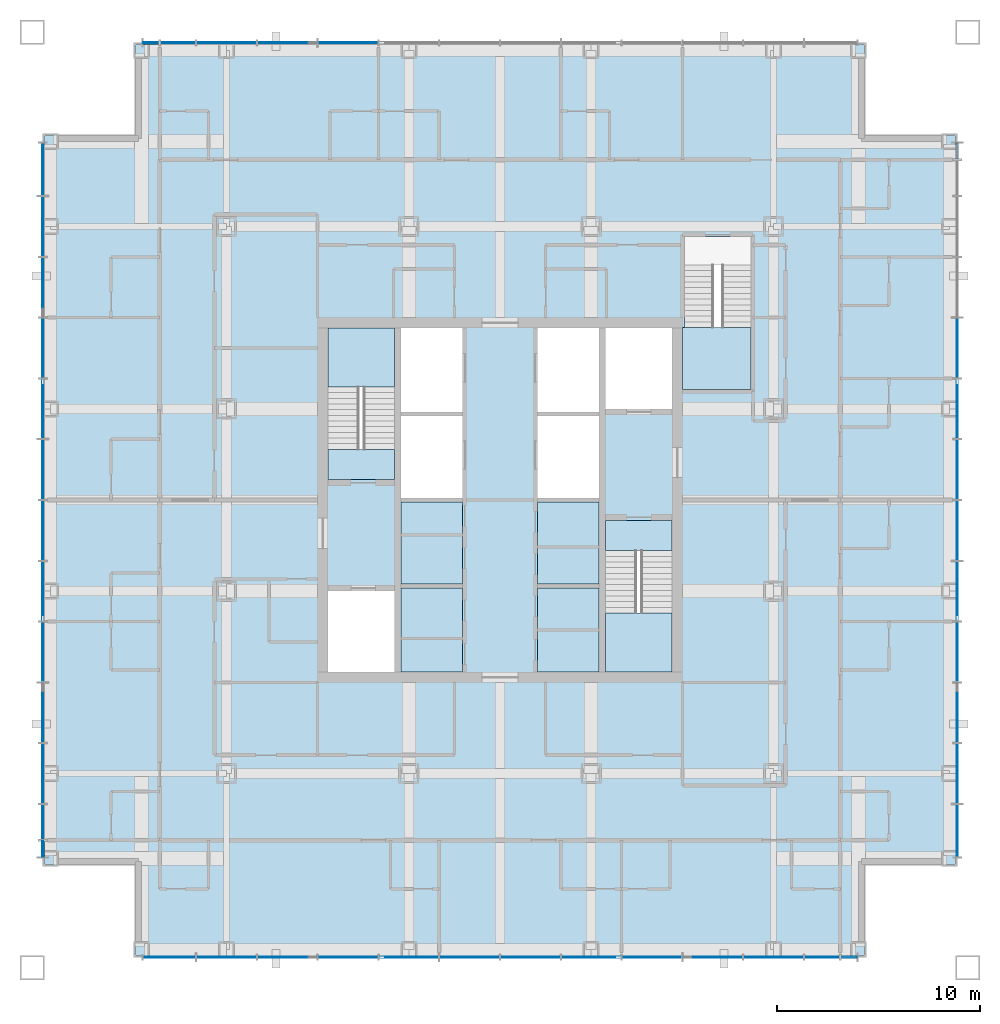
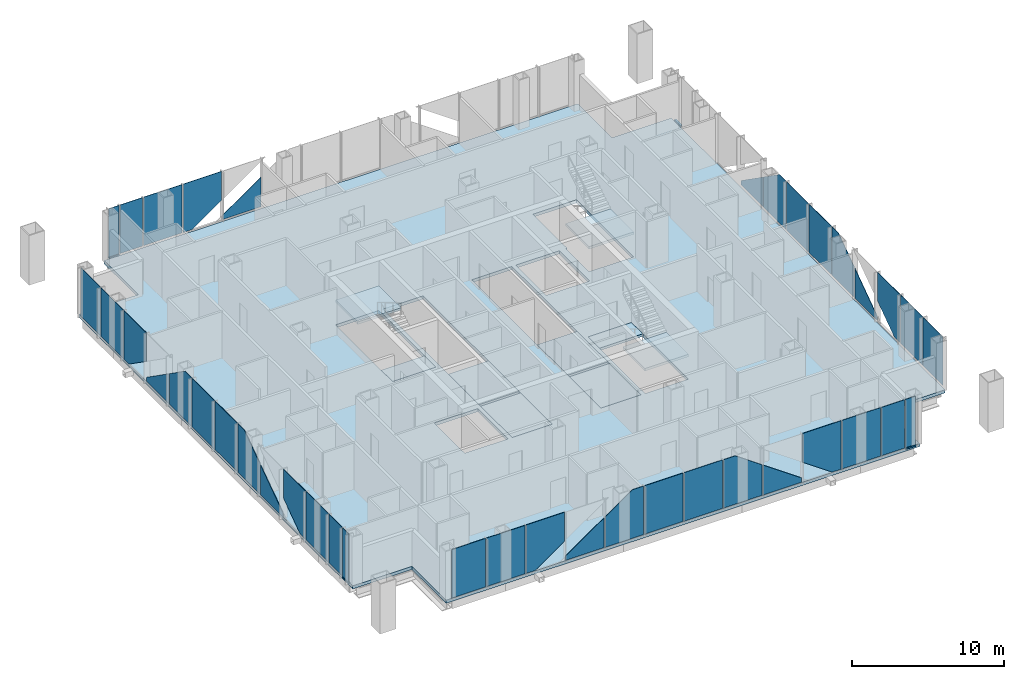
# One storey, part 6 of 17: 40 plates, 10 slabs, 4 members, 7 elements without a shape of their own.
"""IFC4 building model written with IfcOpenShell, lengths in metres."""

from ifc_helpers import new_model, si_unit, direction, frame, origin, origin_2d, place, context, subcontext, project, spatial, polyline, rectangle, outline, extrude, material, layer, layer_set, material_profile, profile_set, type_object, element, aggregate, save


model = new_model("IFC4")

# Units and contexts
model_context = context("Model", 3, precision=1e-05, world=origin(), true_north=direction((0.0, 1.0)))
body_context = subcontext(model_context, "Body", "Model", "MODEL_VIEW")
ifc_project = project(units=[si_unit("LENGTHUNIT", "METRE"), si_unit("AREAUNIT", "SQUARE_METRE"), si_unit("VOLUMEUNIT", "CUBIC_METRE"), si_unit("PLANEANGLEUNIT", "RADIAN"), si_unit("MASSUNIT", "GRAM", prefix="KILO")], contexts=[model_context])

# Site, building, storey
site_placement = place(None, origin())
site = spatial("IfcSite", under=ifc_project, at=site_placement, CompositionType="ELEMENT")
building_placement = place(site_placement, origin())
building = spatial("IfcBuilding", under=site, at=building_placement, Name="Malebo Sky Hospital", CompositionType="ELEMENT")
storey_placement = place(building_placement, frame((0.0, 0.0, 185.0)))
storey = spatial("IfcBuildingStorey", under=building, at=storey_placement, Name="L44", CompositionType="ELEMENT", Elevation=185.0)

# Curtain wall, member
ifc_material_1 = material(Name="Anodised aluminium, natural silver", Category="aluminium")
ifc_layer_1 = layer(ifc_material_1, 0.25)
ifc_layer_set_1 = layer_set([ifc_layer_1], Name="WARD CURTAIN WALL NORTH AND SOUTH")
curtain_wall_type_1 = type_object("IfcCurtainWallType", Name="WARD CURTAIN WALL NORTH AND SOUTH", PredefinedType="NOTDEFINED", material=ifc_layer_set_1)
curtain_wall_1_placement = place(storey_placement, origin())
curtain_wall_1 = element("IfcCurtainWall", 1, at=curtain_wall_1_placement, inside=storey, type_object=curtain_wall_type_1, Name="NS curtain wall N", PredefinedType="NOTDEFINED")
ifc_material_profile = material_profile(ifc_material_1, rectangle(XDim=0.14990234375, YDim=0.10009765625, at=origin_2d()), Name="ALUMINIUM TRANSOM 150x100")
ifc_profile_set = profile_set([ifc_material_profile], Name="Anodised aluminium, natural silver")
member_type = type_object("IfcMemberType", Name="ALUMINIUM TRANSOM 150x100", PredefinedType="USERDEFINED", material=ifc_profile_set)
member_1_placement = place(storey_placement, frame((42.375, 84.574951171875, 0.050048828125), z_axis=(1.0, 0.0, 0.0), x_axis=(0.0, 1.0, 0.0)))
member_1 = element("IfcMember", 2, at=member_1_placement, type_object=member_type, Name="Transom 1", ObjectType="TRANSOM", PredefinedType="USERDEFINED", context=body_context, shape_type="SweptSolid", body=[
    extrude(rectangle(XDim=0.14990234375, YDim=0.10009765625, at=origin_2d()), origin(), (0.0, 0.0, 1.0), 0.78759765625),
])

ifc_layer_2 = layer(ifc_material_1, 0.25)
ifc_layer_set_2 = layer_set([ifc_layer_2], Name="WARD CURTAIN WALL EAST AND WEST")
curtain_wall_type_2 = type_object("IfcCurtainWallType", Name="WARD CURTAIN WALL EAST AND WEST", PredefinedType="NOTDEFINED", material=ifc_layer_set_2)
curtain_wall_2_placement = place(storey_placement, origin())
curtain_wall_2 = element("IfcCurtainWall", 3, at=curtain_wall_2_placement, inside=storey, type_object=curtain_wall_type_2, Name="EW curtain wall W", PredefinedType="NOTDEFINED")
member_2_placement = place(storey_placement, frame((37.425048828125, 44.375, 0.050048828125), z_axis=(0.0, 1.0, 0.0), x_axis=(-1.0, 0.0, 0.0)))
member_2 = element("IfcMember", 4, at=member_2_placement, type_object=member_type, Name="Transom 1", ObjectType="TRANSOM", PredefinedType="USERDEFINED", context=body_context, shape_type="SweptSolid", body=[
    extrude(rectangle(XDim=0.14990234375, YDim=0.10009765625, at=origin_2d()), origin(), (0.0, 0.0, 1.0), 0.78759765625),
])

curtain_wall_3_placement = place(storey_placement, origin())
curtain_wall_3 = element("IfcCurtainWall", 5, at=curtain_wall_3_placement, inside=storey, type_object=curtain_wall_type_1, Name="NS curtain wall S", PredefinedType="NOTDEFINED")
member_3_placement = place(storey_placement, frame((77.625, 39.425048828125, 0.050048828125), z_axis=(-1.0, 0.0, 0.0), x_axis=(0.0, -1.0, 0.0)))
member_3 = element("IfcMember", 6, at=member_3_placement, type_object=member_type, Name="Transom 1", ObjectType="TRANSOM", PredefinedType="USERDEFINED", context=body_context, shape_type="SweptSolid", body=[
    extrude(rectangle(XDim=0.14990234375, YDim=0.10009765625, at=origin_2d()), origin(), (0.0, 0.0, 1.0), 0.78759765625),
])

curtain_wall_4_placement = place(storey_placement, origin())
curtain_wall_4 = element("IfcCurtainWall", 7, at=curtain_wall_4_placement, inside=storey, type_object=curtain_wall_type_2, Name="EW curtain wall E", PredefinedType="NOTDEFINED")
member_4_placement = place(storey_placement, frame((82.574951171875, 79.625, 0.050048828125), z_axis=(0.0, -1.0, 0.0), x_axis=(1.0, 0.0, 0.0)))
member_4 = element("IfcMember", 8, at=member_4_placement, type_object=member_type, Name="Transom 1", ObjectType="TRANSOM", PredefinedType="USERDEFINED", context=body_context, shape_type="SweptSolid", body=[
    extrude(rectangle(XDim=0.14990234375, YDim=0.10009765625, at=origin_2d()), origin(), (0.0, 0.0, 1.0), 0.78759765625),
])

# Slabs
ifc_material_2 = material(Name="Concrete C40/50", Category="concrete")
ifc_layer_3 = layer(ifc_material_2, 0.25)
ifc_layer_set_3 = layer_set([ifc_layer_3], Name="COMPOSITE FLOOR SLAB 250")
slab_type_1 = type_object("IfcSlabType", Name="COMPOSITE FLOOR SLAB 250", PredefinedType="FLOOR", material=ifc_layer_set_3)
slab_1_placement = place(storey_placement, frame((0.0, 0.0, -0.25)))
element("IfcSlab", 9, at=slab_1_placement, inside=storey, type_object=slab_type_1, Name="Floor slab L44", PredefinedType="FLOOR", context=body_context, shape_type="SweptSolid", body=[
    extrude(outline(polyline([(42.0, 84.5), (42.0, 80.0), (37.5, 80.0), (37.5, 44.0), (42.0, 44.0), (42.0, 39.5), (78.0, 39.5), (78.0, 44.0), (82.5, 44.0), (82.5, 80.0), (78.0, 80.0), (78.0, 84.5), (42.0, 84.5)]), holes=[polyline([(55.10009765625, 70.5), (58.14990234375, 70.5), (58.14990234375, 53.5), (55.10009765625, 53.5), (55.10009765625, 70.5)]), polyline([(64.89990234375, 70.5), (64.89990234375, 53.5), (61.85009765625, 53.5), (61.85009765625, 70.5), (64.89990234375, 70.5)]), polyline([(54.800048828125, 63.0), (51.5, 63.0), (51.5, 70.5), (54.800048828125, 70.5), (54.800048828125, 63.0)]), polyline([(51.5, 53.5), (51.5, 57.5), (54.800048828125, 57.5), (54.800048828125, 53.5), (51.5, 53.5)]), polyline([(65.199951171875, 61.0), (68.5, 61.0), (68.5, 53.5), (65.199951171875, 53.5), (65.199951171875, 61.0)]), polyline([(68.5, 70.5), (68.5, 66.5), (65.199951171875, 66.5), (65.199951171875, 70.5), (68.5, 70.5)]), polyline([(69.0, 67.449951171875), (69.0, 70.52001953125), (69.10009765625, 70.52001953125), (69.10009765625, 75.0), (72.39990234375, 75.0), (72.39990234375, 67.449951171875), (69.10009765625, 67.449951171875), (69.0, 67.449951171875)])]), origin(), (0.0, 0.0, 1.0), 0.25),
])
ifc_layer_4 = layer(ifc_material_2, 0.25)
ifc_layer_set_4 = layer_set([ifc_layer_4], Name="SHAFT INFILL SLAB 250")
slab_type_2 = type_object("IfcSlabType", Name="SHAFT INFILL SLAB 250", PredefinedType="FLOOR", material=ifc_layer_set_4)
slab_2_placement = place(storey_placement, frame((0.0, 0.0, -0.25)))
element("IfcSlab", 10, at=slab_2_placement, inside=storey, type_object=slab_type_2, Name="Shaft infill slab W1 L44", PredefinedType="FLOOR", context=body_context, shape_type="SweptSolid", body=[
    extrude(outline(polyline([(55.10009765625, 53.5), (58.14990234375, 53.5), (58.14990234375, 57.64990234375), (55.10009765625, 57.64990234375), (55.10009765625, 53.5)])), origin(), (0.0, 0.0, 1.0), 0.25),
])
slab_3_placement = place(storey_placement, frame((0.0, 0.0, -0.25)))
element("IfcSlab", 11, at=slab_3_placement, inside=storey, type_object=slab_type_2, Name="Shaft infill slab W2 L44", PredefinedType="FLOOR", context=body_context, shape_type="SweptSolid", body=[
    extrude(outline(polyline([(55.10009765625, 57.85009765625), (58.14990234375, 57.85009765625), (58.14990234375, 61.89990234375), (55.10009765625, 61.89990234375), (55.10009765625, 57.85009765625)])), origin(), (0.0, 0.0, 1.0), 0.25),
])
slab_4_placement = place(storey_placement, frame((0.0, 0.0, -0.25)))
element("IfcSlab", 12, at=slab_4_placement, inside=storey, type_object=slab_type_2, Name="Shaft infill slab E1 L44", PredefinedType="FLOOR", context=body_context, shape_type="SweptSolid", body=[
    extrude(outline(polyline([(61.85009765625, 53.5), (64.89990234375, 53.5), (64.89990234375, 57.64990234375), (61.85009765625, 57.64990234375), (61.85009765625, 53.5)])), origin(), (0.0, 0.0, 1.0), 0.25),
])
slab_5_placement = place(storey_placement, frame((0.0, 0.0, -0.25)))
element("IfcSlab", 13, at=slab_5_placement, inside=storey, type_object=slab_type_2, Name="Shaft infill slab E2 L44", PredefinedType="FLOOR", context=body_context, shape_type="SweptSolid", body=[
    extrude(outline(polyline([(61.85009765625, 57.85009765625), (64.89990234375, 57.85009765625), (64.89990234375, 61.89990234375), (61.85009765625, 61.89990234375), (61.85009765625, 57.85009765625)])), origin(), (0.0, 0.0, 1.0), 0.25),
])

# Stair, slabs
stair_type_1 = type_object("IfcStairType", Name="HALF-TURN STAIR 1500 R167", PredefinedType="HALF_TURN_STAIR", material=ifc_material_2)
stair_1_placement = place(storey_placement, origin())
stair_1 = element("IfcStair", 14, at=stair_1_placement, inside=storey, type_object=stair_type_1, Name="Stair S1 L44 type ST1", PredefinedType="HALF_TURN_STAIR")
ifc_layer_5 = layer(ifc_material_2, 0.199951171875)
ifc_layer_set_5 = layer_set([ifc_layer_5], Name="STAIR LANDING 200")
slab_type_3 = type_object("IfcSlabType", Name="STAIR LANDING 200", PredefinedType="LANDING", material=ifc_layer_set_5)
slab_6_placement = place(storey_placement, frame((0.0, 0.0, -0.199951171875)))
slab_6 = element("IfcSlab", 15, at=slab_6_placement, type_object=slab_type_3, Name="S1 landing 1", PredefinedType="LANDING", context=body_context, shape_type="SweptSolid", body=[
    extrude(outline(polyline([(51.5, 63.0), (54.800048828125, 63.0), (54.800048828125, 64.5), (51.5, 64.5), (51.5, 63.0)])), origin(), (0.0, 0.0, 1.0), 0.199951171875),
])
slab_7_placement = place(storey_placement, frame((0.0, 0.0, 1.800048828125)))
slab_7 = element("IfcSlab", 16, at=slab_7_placement, type_object=slab_type_3, Name="S1 landing 2", PredefinedType="LANDING", context=body_context, shape_type="SweptSolid", body=[
    extrude(outline(polyline([(51.5, 67.580078125), (54.800048828125, 67.580078125), (54.800048828125, 70.5), (51.5, 70.5), (51.5, 67.580078125)])), origin(), (0.0, 0.0, 1.0), 0.199951171875),
])
aggregate(stair_1, [slab_6, slab_7])

stair_2_placement = place(storey_placement, origin())
stair_2 = element("IfcStair", 17, at=stair_2_placement, inside=storey, type_object=stair_type_1, Name="Stair S2 L44 type ST1", PredefinedType="HALF_TURN_STAIR")
slab_8_placement = place(storey_placement, frame((0.0, 0.0, -0.199951171875)))
slab_8 = element("IfcSlab", 18, at=slab_8_placement, type_object=slab_type_3, Name="S2 landing 1", PredefinedType="LANDING", context=body_context, shape_type="SweptSolid", body=[
    extrude(outline(polyline([(65.199951171875, 59.5), (68.5, 59.5), (68.5, 61.0), (65.199951171875, 61.0), (65.199951171875, 59.5)])), origin(), (0.0, 0.0, 1.0), 0.199951171875),
])
slab_9_placement = place(storey_placement, frame((0.0, 0.0, 1.800048828125)))
slab_9 = element("IfcSlab", 19, at=slab_9_placement, type_object=slab_type_3, Name="S2 landing 2", PredefinedType="LANDING", context=body_context, shape_type="SweptSolid", body=[
    extrude(outline(polyline([(65.199951171875, 53.5), (68.5, 53.5), (68.5, 56.419921875), (65.199951171875, 56.419921875), (65.199951171875, 53.5)])), origin(), (0.0, 0.0, 1.0), 0.199951171875),
])
aggregate(stair_2, [slab_8, slab_9])

# Stair, slab
stair_type_2 = type_object("IfcStairType", Name="HALF-TURN STAIR 1400 R167", PredefinedType="HALF_TURN_STAIR", material=ifc_material_2)
stair_3_placement = place(storey_placement, origin())
stair_3 = element("IfcStair", 20, at=stair_3_placement, inside=storey, type_object=stair_type_2, Name="Stair S3 L44 type ST1B", PredefinedType="HALF_TURN_STAIR")
slab_10_placement = place(storey_placement, frame((0.0, 0.0, 1.800048828125)))
slab_10 = element("IfcSlab", 21, at=slab_10_placement, type_object=slab_type_3, Name="S3 landing 2", PredefinedType="LANDING", context=body_context, shape_type="SweptSolid", body=[
    extrude(outline(polyline([(69.0, 67.449951171875), (72.39990234375, 67.449951171875), (72.39990234375, 70.52001953125), (69.0, 70.52001953125), (69.0, 67.449951171875)])), origin(), (0.0, 0.0, 1.0), 0.199951171875),
])
aggregate(stair_3, [slab_10])

# Plate
ifc_material_3 = material(Name="Clear low-iron double glazing", Category="glass")
ifc_layer_6 = layer(ifc_material_3, 0.031982421875)
ifc_layer_set_6 = layer_set([ifc_layer_6], Name="VISION PANEL CLEAR 32")
plate_type = type_object("IfcPlateType", Name="VISION PANEL CLEAR 32", PredefinedType="CURTAIN_PANEL", material=ifc_layer_set_6)
plate_1_placement = place(storey_placement, frame((42.768798828125, 84.574951171875, 0.10009765625), z_axis=(0.0, 0.0, 1.0), x_axis=(1.0, 0.0, 0.0)))
plate_1 = element("IfcPlate", 22, at=plate_1_placement, type_object=plate_type, Name="Panel 1", PredefinedType="CURTAIN_PANEL", context=body_context, shape_type="SweptSolid", body=[
    extrude(rectangle(XDim=0.78759765625, YDim=0.031982421875, at=origin_2d()), origin(), (0.0, 0.0, 1.0), 3.889892578125),
])

plate_2_placement = place(storey_placement, frame((44.10009765625, 84.574951171875, 0.10009765625), z_axis=(0.0, 0.0, 1.0), x_axis=(1.0, 0.0, 0.0)))
plate_2 = element("IfcPlate", 23, at=plate_2_placement, type_object=plate_type, Name="Panel 2", PredefinedType="CURTAIN_PANEL", context=body_context, shape_type="SweptSolid", body=[
    extrude(rectangle(XDim=1.72509765625, YDim=0.031982421875, at=origin_2d()), origin(), (0.0, 0.0, 1.0), 3.889892578125),
])

plate_3_placement = place(storey_placement, frame((46.5, 84.574951171875, 0.10009765625), z_axis=(0.0, 0.0, 1.0), x_axis=(1.0, 0.0, 0.0)))
plate_3 = element("IfcPlate", 24, at=plate_3_placement, type_object=plate_type, Name="Panel 3", PredefinedType="CURTAIN_PANEL", context=body_context, shape_type="SweptSolid", body=[
    extrude(rectangle(XDim=2.925048828125, YDim=0.031982421875, at=origin_2d()), origin(), (0.0, 0.0, 1.0), 3.889892578125),
])

plate_4_placement = place(storey_placement, frame((49.5, 84.574951171875, 0.10009765625), z_axis=(0.0, 0.0, 1.0), x_axis=(1.0, 0.0, 0.0)))
plate_4 = element("IfcPlate", 25, at=plate_4_placement, type_object=plate_type, Name="Panel 4", PredefinedType="CURTAIN_PANEL", context=body_context, shape_type="SweptSolid", body=[
    extrude(outline(polyline([(-1.46240234375, 0.0), (-0.77197265625, 0.0), (1.46240234375, 1.5693359375), (1.46240234375, 3.889892578125), (-1.46240234375, 3.889892578125), (-1.46240234375, 0.0)])), frame((0.0, 0.01611328125, 0.0), z_axis=(0.0, -1.0, 0.0), x_axis=(1.0, 0.0, 0.0)), (0.0, 0.0, 1.0), 0.031982421875),
])

plate_5_placement = place(storey_placement, frame((52.5, 84.574951171875, 0.10009765625), z_axis=(0.0, 0.0, 1.0), x_axis=(1.0, 0.0, 0.0)))
plate_5 = element("IfcPlate", 26, at=plate_5_placement, type_object=plate_type, Name="Panel 5", PredefinedType="CURTAIN_PANEL", context=body_context, shape_type="SweptSolid", body=[
    extrude(outline(polyline([(-1.46240234375, 0.0), (1.46240234375, 0.0), (1.46240234375, 2.39208984375), (-1.46240234375, 0.337646484375), (-1.46240234375, 0.0)])), frame((0.0, 0.01611328125, 0.0), z_axis=(0.0, -1.0, 0.0), x_axis=(1.0, 0.0, 0.0)), (0.0, 0.0, 1.0), 0.031982421875),
])

aggregate(curtain_wall_1, [member_1, plate_1, plate_2, plate_3, plate_4, plate_5])

plate_6_placement = place(storey_placement, frame((37.425048828125, 44.768798828125, 0.10009765625), z_axis=(0.0, 0.0, 1.0), x_axis=(0.0, 1.0, 0.0)))
plate_6 = element("IfcPlate", 27, at=plate_6_placement, type_object=plate_type, Name="Panel 1", PredefinedType="CURTAIN_PANEL", context=body_context, shape_type="SweptSolid", body=[
    extrude(rectangle(XDim=0.78759765625, YDim=0.031982421875, at=origin_2d()), origin(), (0.0, 0.0, 1.0), 3.889892578125),
])

plate_7_placement = place(storey_placement, frame((37.425048828125, 46.10009765625, 0.10009765625), z_axis=(0.0, 0.0, 1.0), x_axis=(0.0, 1.0, 0.0)))
plate_7 = element("IfcPlate", 28, at=plate_7_placement, type_object=plate_type, Name="Panel 2", PredefinedType="CURTAIN_PANEL", context=body_context, shape_type="SweptSolid", body=[
    extrude(rectangle(XDim=1.72509765625, YDim=0.031982421875, at=origin_2d()), origin(), (0.0, 0.0, 1.0), 3.889892578125),
])

plate_8_placement = place(storey_placement, frame((37.425048828125, 48.5, 0.10009765625), z_axis=(0.0, 0.0, 1.0), x_axis=(0.0, 1.0, 0.0)))
plate_8 = element("IfcPlate", 29, at=plate_8_placement, type_object=plate_type, Name="Panel 3", PredefinedType="CURTAIN_PANEL", context=body_context, shape_type="SweptSolid", body=[
    extrude(rectangle(XDim=2.925048828125, YDim=0.031982421875, at=origin_2d()), origin(), (0.0, 0.0, 1.0), 3.889892578125),
])

plate_9_placement = place(storey_placement, frame((37.425048828125, 51.5, 0.10009765625), z_axis=(0.0, 0.0, 1.0), x_axis=(0.0, 1.0, 0.0)))
plate_9 = element("IfcPlate", 30, at=plate_9_placement, type_object=plate_type, Name="Panel 4", PredefinedType="CURTAIN_PANEL", context=body_context, shape_type="SweptSolid", body=[
    extrude(outline(polyline([(-1.46240234375, 0.0), (-0.77197265625, 0.0), (1.46240234375, 1.5693359375), (1.46240234375, 3.889892578125), (-1.46240234375, 3.889892578125), (-1.46240234375, 0.0)])), frame((0.0, 0.01611328125, 0.0), z_axis=(0.0, -1.0, 0.0), x_axis=(1.0, 0.0, 0.0)), (0.0, 0.0, 1.0), 0.031982421875),
])

plate_10_placement = place(storey_placement, frame((37.425048828125, 54.5, 0.10009765625), z_axis=(0.0, 0.0, 1.0), x_axis=(0.0, 1.0, 0.0)))
plate_10 = element("IfcPlate", 31, at=plate_10_placement, type_object=plate_type, Name="Panel 5", PredefinedType="CURTAIN_PANEL", context=body_context, shape_type="SweptSolid", body=[
    extrude(outline(polyline([(-1.46240234375, 0.0), (1.46240234375, 0.0), (1.46240234375, 2.39208984375), (-1.46240234375, 0.337646484375), (-1.46240234375, 0.0)])), frame((0.0, 0.01611328125, 0.0), z_axis=(0.0, -1.0, 0.0), x_axis=(1.0, 0.0, 0.0)), (0.0, 0.0, 1.0), 0.031982421875),
])

plate_11_placement = place(storey_placement, frame((37.425048828125, 57.5, 0.10009765625), z_axis=(0.0, 0.0, 1.0), x_axis=(0.0, 1.0, 0.0)))
plate_11 = element("IfcPlate", 32, at=plate_11_placement, type_object=plate_type, Name="Panel 6", PredefinedType="CURTAIN_PANEL", context=body_context, shape_type="SweptSolid", body=[
    extrude(outline(polyline([(-1.46240234375, 0.0), (1.46240234375, 0.0), (1.46240234375, 3.889892578125), (0.594970703125, 3.889892578125), (-1.46240234375, 2.44482421875), (-1.46240234375, 0.0)])), frame((0.0, 0.01611328125, 0.0), z_axis=(0.0, -1.0, 0.0), x_axis=(1.0, 0.0, 0.0)), (0.0, 0.0, 1.0), 0.031982421875),
])

plate_12_placement = place(storey_placement, frame((37.425048828125, 60.5, 0.10009765625), z_axis=(0.0, 0.0, 1.0), x_axis=(0.0, 1.0, 0.0)))
plate_12 = element("IfcPlate", 33, at=plate_12_placement, type_object=plate_type, Name="Panel 7", PredefinedType="CURTAIN_PANEL", context=body_context, shape_type="SweptSolid", body=[
    extrude(rectangle(XDim=2.925048828125, YDim=0.031982421875, at=origin_2d()), origin(), (0.0, 0.0, 1.0), 3.889892578125),
])

plate_13_placement = place(storey_placement, frame((37.425048828125, 63.5, 0.10009765625), z_axis=(0.0, 0.0, 1.0), x_axis=(0.0, 1.0, 0.0)))
plate_13 = element("IfcPlate", 34, at=plate_13_placement, type_object=plate_type, Name="Panel 8", PredefinedType="CURTAIN_PANEL", context=body_context, shape_type="SweptSolid", body=[
    extrude(rectangle(XDim=2.925048828125, YDim=0.031982421875, at=origin_2d()), origin(), (0.0, 0.0, 1.0), 3.889892578125),
])

plate_14_placement = place(storey_placement, frame((37.425048828125, 66.5, 0.10009765625), z_axis=(0.0, 0.0, 1.0), x_axis=(0.0, 1.0, 0.0)))
plate_14 = element("IfcPlate", 35, at=plate_14_placement, type_object=plate_type, Name="Panel 9", PredefinedType="CURTAIN_PANEL", context=body_context, shape_type="SweptSolid", body=[
    extrude(outline(polyline([(-1.46240234375, 0.0), (1.46240234375, 0.0), (1.46240234375, 2.44482421875), (-0.594970703125, 3.889892578125), (-1.46240234375, 3.889892578125), (-1.46240234375, 0.0)])), frame((0.0, 0.01611328125, 0.0), z_axis=(0.0, -1.0, 0.0), x_axis=(1.0, 0.0, 0.0)), (0.0, 0.0, 1.0), 0.031982421875),
])

plate_15_placement = place(storey_placement, frame((37.425048828125, 69.5, 0.10009765625), z_axis=(0.0, 0.0, 1.0), x_axis=(0.0, 1.0, 0.0)))
plate_15 = element("IfcPlate", 36, at=plate_15_placement, type_object=plate_type, Name="Panel 10", PredefinedType="CURTAIN_PANEL", context=body_context, shape_type="SweptSolid", body=[
    extrude(outline(polyline([(-1.46240234375, 0.0), (1.46240234375, 0.0), (1.46240234375, 0.337646484375), (-1.46240234375, 2.39208984375), (-1.46240234375, 0.0)])), frame((0.0, 0.01611328125, 0.0), z_axis=(0.0, -1.0, 0.0), x_axis=(1.0, 0.0, 0.0)), (0.0, 0.0, 1.0), 0.031982421875),
])

plate_16_placement = place(storey_placement, frame((37.425048828125, 72.5, 0.10009765625), z_axis=(0.0, 0.0, 1.0), x_axis=(0.0, 1.0, 0.0)))
plate_16 = element("IfcPlate", 37, at=plate_16_placement, type_object=plate_type, Name="Panel 11", PredefinedType="CURTAIN_PANEL", context=body_context, shape_type="SweptSolid", body=[
    extrude(outline(polyline([(0.77197265625, 0.0), (1.46240234375, 0.0), (1.46240234375, 3.889892578125), (-1.46240234375, 3.889892578125), (-1.46240234375, 1.5693359375), (0.77197265625, 0.0)])), frame((0.0, 0.01611328125, 0.0), z_axis=(0.0, -1.0, 0.0), x_axis=(1.0, 0.0, 0.0)), (0.0, 0.0, 1.0), 0.031982421875),
])

plate_17_placement = place(storey_placement, frame((37.425048828125, 75.5, 0.10009765625), z_axis=(0.0, 0.0, 1.0), x_axis=(0.0, 1.0, 0.0)))
plate_17 = element("IfcPlate", 38, at=plate_17_placement, type_object=plate_type, Name="Panel 12", PredefinedType="CURTAIN_PANEL", context=body_context, shape_type="SweptSolid", body=[
    extrude(rectangle(XDim=2.925048828125, YDim=0.031982421875, at=origin_2d()), origin(), (0.0, 0.0, 1.0), 3.889892578125),
])

plate_18_placement = place(storey_placement, frame((37.425048828125, 78.331298828125, 0.10009765625), z_axis=(0.0, 0.0, 1.0), x_axis=(0.0, 1.0, 0.0)))
plate_18 = element("IfcPlate", 39, at=plate_18_placement, type_object=plate_type, Name="Panel 13", PredefinedType="CURTAIN_PANEL", context=body_context, shape_type="SweptSolid", body=[
    extrude(rectangle(XDim=2.58740234375, YDim=0.031982421875, at=origin_2d()), origin(), (0.0, 0.0, 1.0), 3.889892578125),
])

aggregate(curtain_wall_2, [member_2, plate_6, plate_7, plate_8, plate_9, plate_10, plate_11, plate_12, plate_13, plate_14, plate_15, plate_16, plate_17, plate_18])

plate_19_placement = place(storey_placement, frame((77.231201171875, 39.425048828125, 0.10009765625), z_axis=(0.0, 0.0, 1.0), x_axis=(-1.0, 0.0, 0.0)))
plate_19 = element("IfcPlate", 40, at=plate_19_placement, type_object=plate_type, Name="Panel 1", PredefinedType="CURTAIN_PANEL", context=body_context, shape_type="SweptSolid", body=[
    extrude(rectangle(XDim=0.78759765625, YDim=0.031982421875, at=origin_2d()), origin(), (0.0, 0.0, 1.0), 3.889892578125),
])

plate_20_placement = place(storey_placement, frame((75.89990234375, 39.425048828125, 0.10009765625), z_axis=(0.0, 0.0, 1.0), x_axis=(-1.0, 0.0, 0.0)))
plate_20 = element("IfcPlate", 41, at=plate_20_placement, type_object=plate_type, Name="Panel 2", PredefinedType="CURTAIN_PANEL", context=body_context, shape_type="SweptSolid", body=[
    extrude(rectangle(XDim=1.72509765625, YDim=0.031982421875, at=origin_2d()), origin(), (0.0, 0.0, 1.0), 3.889892578125),
])

plate_21_placement = place(storey_placement, frame((73.5, 39.425048828125, 0.10009765625), z_axis=(0.0, 0.0, 1.0), x_axis=(-1.0, 0.0, 0.0)))
plate_21 = element("IfcPlate", 42, at=plate_21_placement, type_object=plate_type, Name="Panel 3", PredefinedType="CURTAIN_PANEL", context=body_context, shape_type="SweptSolid", body=[
    extrude(rectangle(XDim=2.925048828125, YDim=0.031982421875, at=origin_2d()), origin(), (0.0, 0.0, 1.0), 3.889892578125),
])

plate_22_placement = place(storey_placement, frame((70.5, 39.425048828125, 0.10009765625), z_axis=(0.0, 0.0, 1.0), x_axis=(-1.0, 0.0, 0.0)))
plate_22 = element("IfcPlate", 43, at=plate_22_placement, type_object=plate_type, Name="Panel 4", PredefinedType="CURTAIN_PANEL", context=body_context, shape_type="SweptSolid", body=[
    extrude(outline(polyline([(-1.46240234375, 0.0), (-0.77197265625, 0.0), (1.46240234375, 1.5693359375), (1.46240234375, 3.889892578125), (-1.46240234375, 3.889892578125), (-1.46240234375, 0.0)])), frame((0.0, 0.01611328125, 0.0), z_axis=(0.0, -1.0, 0.0), x_axis=(1.0, 0.0, 0.0)), (0.0, 0.0, 1.0), 0.031982421875),
])

plate_23_placement = place(storey_placement, frame((67.5, 39.425048828125, 0.10009765625), z_axis=(0.0, 0.0, 1.0), x_axis=(-1.0, 0.0, 0.0)))
plate_23 = element("IfcPlate", 44, at=plate_23_placement, type_object=plate_type, Name="Panel 5", PredefinedType="CURTAIN_PANEL", context=body_context, shape_type="SweptSolid", body=[
    extrude(outline(polyline([(-1.46240234375, 0.0), (1.46240234375, 0.0), (1.46240234375, 2.39208984375), (-1.46240234375, 0.337646484375), (-1.46240234375, 0.0)])), frame((0.0, 0.01611328125, 0.0), z_axis=(0.0, -1.0, 0.0), x_axis=(1.0, 0.0, 0.0)), (0.0, 0.0, 1.0), 0.031982421875),
])

plate_24_placement = place(storey_placement, frame((64.5, 39.425048828125, 0.10009765625), z_axis=(0.0, 0.0, 1.0), x_axis=(-1.0, 0.0, 0.0)))
plate_24 = element("IfcPlate", 45, at=plate_24_placement, type_object=plate_type, Name="Panel 6", PredefinedType="CURTAIN_PANEL", context=body_context, shape_type="SweptSolid", body=[
    extrude(outline(polyline([(-1.46240234375, 0.0), (1.46240234375, 0.0), (1.46240234375, 3.889892578125), (0.594970703125, 3.889892578125), (-1.46240234375, 2.44482421875), (-1.46240234375, 0.0)])), frame((0.0, 0.01611328125, 0.0), z_axis=(0.0, -1.0, 0.0), x_axis=(1.0, 0.0, 0.0)), (0.0, 0.0, 1.0), 0.031982421875),
])

plate_25_placement = place(storey_placement, frame((61.5, 39.425048828125, 0.10009765625), z_axis=(0.0, 0.0, 1.0), x_axis=(-1.0, 0.0, 0.0)))
plate_25 = element("IfcPlate", 46, at=plate_25_placement, type_object=plate_type, Name="Panel 7", PredefinedType="CURTAIN_PANEL", context=body_context, shape_type="SweptSolid", body=[
    extrude(rectangle(XDim=2.925048828125, YDim=0.031982421875, at=origin_2d()), origin(), (0.0, 0.0, 1.0), 3.889892578125),
])

plate_26_placement = place(storey_placement, frame((58.5, 39.425048828125, 0.10009765625), z_axis=(0.0, 0.0, 1.0), x_axis=(-1.0, 0.0, 0.0)))
plate_26 = element("IfcPlate", 47, at=plate_26_placement, type_object=plate_type, Name="Panel 8", PredefinedType="CURTAIN_PANEL", context=body_context, shape_type="SweptSolid", body=[
    extrude(rectangle(XDim=2.925048828125, YDim=0.031982421875, at=origin_2d()), origin(), (0.0, 0.0, 1.0), 3.889892578125),
])

plate_27_placement = place(storey_placement, frame((55.5, 39.425048828125, 0.10009765625), z_axis=(0.0, 0.0, 1.0), x_axis=(-1.0, 0.0, 0.0)))
plate_27 = element("IfcPlate", 48, at=plate_27_placement, type_object=plate_type, Name="Panel 9", PredefinedType="CURTAIN_PANEL", context=body_context, shape_type="SweptSolid", body=[
    extrude(outline(polyline([(-1.46240234375, 0.0), (1.46240234375, 0.0), (1.46240234375, 2.44482421875), (-0.594970703125, 3.889892578125), (-1.46240234375, 3.889892578125), (-1.46240234375, 0.0)])), frame((0.0, 0.01611328125, 0.0), z_axis=(0.0, -1.0, 0.0), x_axis=(1.0, 0.0, 0.0)), (0.0, 0.0, 1.0), 0.031982421875),
])

plate_28_placement = place(storey_placement, frame((52.5, 39.425048828125, 0.10009765625), z_axis=(0.0, 0.0, 1.0), x_axis=(-1.0, 0.0, 0.0)))
plate_28 = element("IfcPlate", 49, at=plate_28_placement, type_object=plate_type, Name="Panel 10", PredefinedType="CURTAIN_PANEL", context=body_context, shape_type="SweptSolid", body=[
    extrude(outline(polyline([(-1.46240234375, 0.0), (1.46240234375, 0.0), (1.46240234375, 0.337646484375), (-1.46240234375, 2.39208984375), (-1.46240234375, 0.0)])), frame((0.0, 0.01611328125, 0.0), z_axis=(0.0, -1.0, 0.0), x_axis=(1.0, 0.0, 0.0)), (0.0, 0.0, 1.0), 0.031982421875),
])

plate_29_placement = place(storey_placement, frame((49.5, 39.425048828125, 0.10009765625), z_axis=(0.0, 0.0, 1.0), x_axis=(-1.0, 0.0, 0.0)))
plate_29 = element("IfcPlate", 50, at=plate_29_placement, type_object=plate_type, Name="Panel 11", PredefinedType="CURTAIN_PANEL", context=body_context, shape_type="SweptSolid", body=[
    extrude(outline(polyline([(0.77197265625, 0.0), (1.46240234375, 0.0), (1.46240234375, 3.889892578125), (-1.46240234375, 3.889892578125), (-1.46240234375, 1.5693359375), (0.77197265625, 0.0)])), frame((0.0, 0.01611328125, 0.0), z_axis=(0.0, -1.0, 0.0), x_axis=(1.0, 0.0, 0.0)), (0.0, 0.0, 1.0), 0.031982421875),
])

plate_30_placement = place(storey_placement, frame((46.5, 39.425048828125, 0.10009765625), z_axis=(0.0, 0.0, 1.0), x_axis=(-1.0, 0.0, 0.0)))
plate_30 = element("IfcPlate", 51, at=plate_30_placement, type_object=plate_type, Name="Panel 12", PredefinedType="CURTAIN_PANEL", context=body_context, shape_type="SweptSolid", body=[
    extrude(rectangle(XDim=2.925048828125, YDim=0.031982421875, at=origin_2d()), origin(), (0.0, 0.0, 1.0), 3.889892578125),
])

plate_31_placement = place(storey_placement, frame((43.668701171875, 39.425048828125, 0.10009765625), z_axis=(0.0, 0.0, 1.0), x_axis=(-1.0, 0.0, 0.0)))
plate_31 = element("IfcPlate", 52, at=plate_31_placement, type_object=plate_type, Name="Panel 13", PredefinedType="CURTAIN_PANEL", context=body_context, shape_type="SweptSolid", body=[
    extrude(rectangle(XDim=2.58740234375, YDim=0.031982421875, at=origin_2d()), origin(), (0.0, 0.0, 1.0), 3.889892578125),
])

aggregate(curtain_wall_3, [member_3, plate_19, plate_20, plate_21, plate_22, plate_23, plate_24, plate_25, plate_26, plate_27, plate_28, plate_29, plate_30, plate_31])

plate_32_placement = place(storey_placement, frame((82.574951171875, 69.5, 0.10009765625), z_axis=(0.0, 0.0, 1.0), x_axis=(0.0, -1.0, 0.0)))
plate_32 = element("IfcPlate", 53, at=plate_32_placement, type_object=plate_type, Name="Panel 5", PredefinedType="CURTAIN_PANEL", context=body_context, shape_type="SweptSolid", body=[
    extrude(outline(polyline([(-1.46240234375, 0.0), (1.46240234375, 0.0), (1.46240234375, 2.39208984375), (-1.46240234375, 0.337646484375), (-1.46240234375, 0.0)])), frame((0.0, 0.01611328125, 0.0), z_axis=(0.0, -1.0, 0.0), x_axis=(1.0, 0.0, 0.0)), (0.0, 0.0, 1.0), 0.031982421875),
])

plate_33_placement = place(storey_placement, frame((82.574951171875, 66.5, 0.10009765625), z_axis=(0.0, 0.0, 1.0), x_axis=(0.0, -1.0, 0.0)))
plate_33 = element("IfcPlate", 54, at=plate_33_placement, type_object=plate_type, Name="Panel 6", PredefinedType="CURTAIN_PANEL", context=body_context, shape_type="SweptSolid", body=[
    extrude(outline(polyline([(-1.46240234375, 0.0), (1.46240234375, 0.0), (1.46240234375, 3.889892578125), (0.594970703125, 3.889892578125), (-1.46240234375, 2.44482421875), (-1.46240234375, 0.0)])), frame((0.0, 0.01611328125, 0.0), z_axis=(0.0, -1.0, 0.0), x_axis=(1.0, 0.0, 0.0)), (0.0, 0.0, 1.0), 0.031982421875),
])

plate_34_placement = place(storey_placement, frame((82.574951171875, 63.5, 0.10009765625), z_axis=(0.0, 0.0, 1.0), x_axis=(0.0, -1.0, 0.0)))
plate_34 = element("IfcPlate", 55, at=plate_34_placement, type_object=plate_type, Name="Panel 7", PredefinedType="CURTAIN_PANEL", context=body_context, shape_type="SweptSolid", body=[
    extrude(rectangle(XDim=2.925048828125, YDim=0.031982421875, at=origin_2d()), origin(), (0.0, 0.0, 1.0), 3.889892578125),
])

plate_35_placement = place(storey_placement, frame((82.574951171875, 60.5, 0.10009765625), z_axis=(0.0, 0.0, 1.0), x_axis=(0.0, -1.0, 0.0)))
plate_35 = element("IfcPlate", 56, at=plate_35_placement, type_object=plate_type, Name="Panel 8", PredefinedType="CURTAIN_PANEL", context=body_context, shape_type="SweptSolid", body=[
    extrude(rectangle(XDim=2.925048828125, YDim=0.031982421875, at=origin_2d()), origin(), (0.0, 0.0, 1.0), 3.889892578125),
])

plate_36_placement = place(storey_placement, frame((82.574951171875, 57.5, 0.10009765625), z_axis=(0.0, 0.0, 1.0), x_axis=(0.0, -1.0, 0.0)))
plate_36 = element("IfcPlate", 57, at=plate_36_placement, type_object=plate_type, Name="Panel 9", PredefinedType="CURTAIN_PANEL", context=body_context, shape_type="SweptSolid", body=[
    extrude(outline(polyline([(-1.46240234375, 0.0), (1.46240234375, 0.0), (1.46240234375, 2.44482421875), (-0.594970703125, 3.889892578125), (-1.46240234375, 3.889892578125), (-1.46240234375, 0.0)])), frame((0.0, 0.01611328125, 0.0), z_axis=(0.0, -1.0, 0.0), x_axis=(1.0, 0.0, 0.0)), (0.0, 0.0, 1.0), 0.031982421875),
])

plate_37_placement = place(storey_placement, frame((82.574951171875, 54.5, 0.10009765625), z_axis=(0.0, 0.0, 1.0), x_axis=(0.0, -1.0, 0.0)))
plate_37 = element("IfcPlate", 58, at=plate_37_placement, type_object=plate_type, Name="Panel 10", PredefinedType="CURTAIN_PANEL", context=body_context, shape_type="SweptSolid", body=[
    extrude(outline(polyline([(-1.46240234375, 0.0), (1.46240234375, 0.0), (1.46240234375, 0.337646484375), (-1.46240234375, 2.39208984375), (-1.46240234375, 0.0)])), frame((0.0, 0.01611328125, 0.0), z_axis=(0.0, -1.0, 0.0), x_axis=(1.0, 0.0, 0.0)), (0.0, 0.0, 1.0), 0.031982421875),
])

plate_38_placement = place(storey_placement, frame((82.574951171875, 51.5, 0.10009765625), z_axis=(0.0, 0.0, 1.0), x_axis=(0.0, -1.0, 0.0)))
plate_38 = element("IfcPlate", 59, at=plate_38_placement, type_object=plate_type, Name="Panel 11", PredefinedType="CURTAIN_PANEL", context=body_context, shape_type="SweptSolid", body=[
    extrude(outline(polyline([(0.77197265625, 0.0), (1.46240234375, 0.0), (1.46240234375, 3.889892578125), (-1.46240234375, 3.889892578125), (-1.46240234375, 1.5693359375), (0.77197265625, 0.0)])), frame((0.0, 0.01611328125, 0.0), z_axis=(0.0, -1.0, 0.0), x_axis=(1.0, 0.0, 0.0)), (0.0, 0.0, 1.0), 0.031982421875),
])

plate_39_placement = place(storey_placement, frame((82.574951171875, 48.5, 0.10009765625), z_axis=(0.0, 0.0, 1.0), x_axis=(0.0, -1.0, 0.0)))
plate_39 = element("IfcPlate", 60, at=plate_39_placement, type_object=plate_type, Name="Panel 12", PredefinedType="CURTAIN_PANEL", context=body_context, shape_type="SweptSolid", body=[
    extrude(rectangle(XDim=2.925048828125, YDim=0.031982421875, at=origin_2d()), origin(), (0.0, 0.0, 1.0), 3.889892578125),
])

plate_40_placement = place(storey_placement, frame((82.574951171875, 45.668701171875, 0.10009765625), z_axis=(0.0, 0.0, 1.0), x_axis=(0.0, -1.0, 0.0)))
plate_40 = element("IfcPlate", 61, at=plate_40_placement, type_object=plate_type, Name="Panel 13", PredefinedType="CURTAIN_PANEL", context=body_context, shape_type="SweptSolid", body=[
    extrude(rectangle(XDim=2.58740234375, YDim=0.031982421875, at=origin_2d()), origin(), (0.0, 0.0, 1.0), 3.889892578125),
])

aggregate(curtain_wall_4, [member_4, plate_32, plate_33, plate_34, plate_35, plate_36, plate_37, plate_38, plate_39, plate_40])

save(model, "model.ifc")
